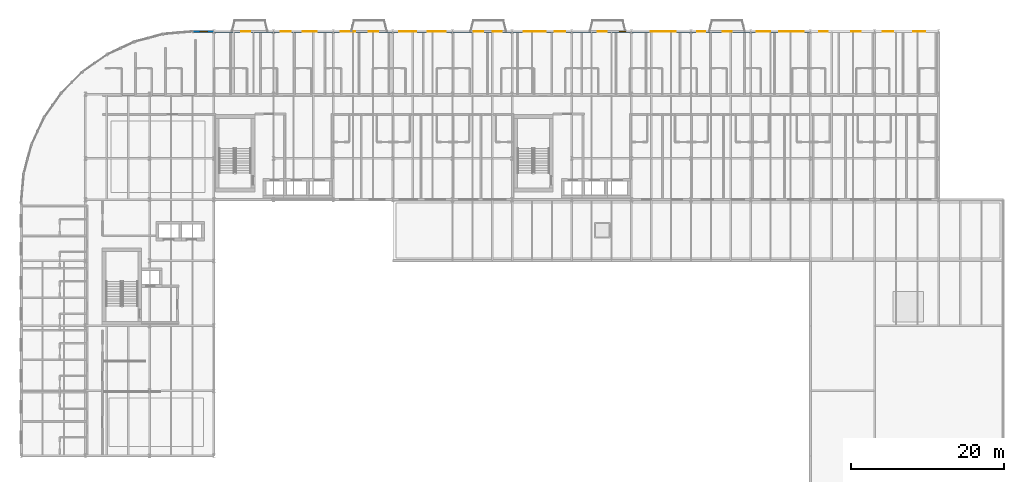
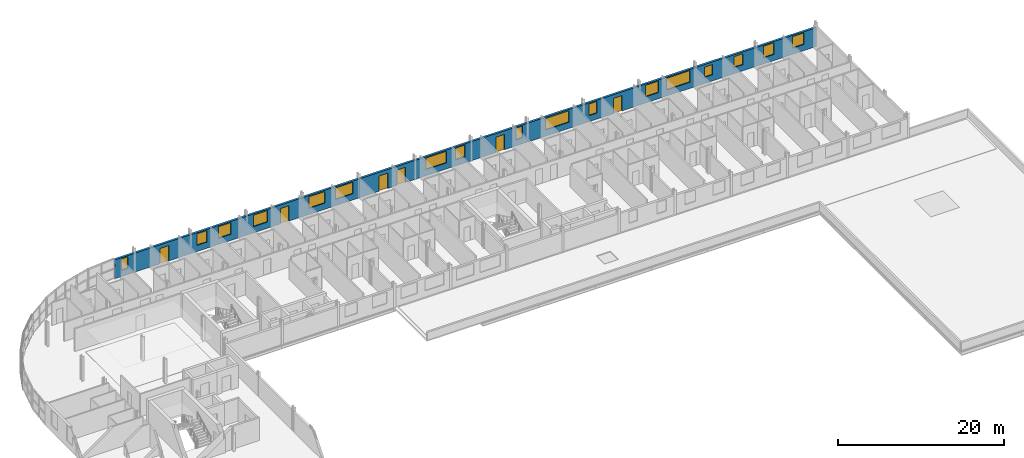
# One storey, part 29 of 36: 17 windows, 6 doors, 1 wall, 23 openings.
"""IFC4 building model written with IfcOpenShell, lengths in metres."""

from ifc_helpers import new_model, si_unit, direction, frame, frame_2d, origin, place, context, subcontext, project, spatial, rectangle, extrude, material, layer, layer_set, type_object, element, fill, save


model = new_model("IFC4")

# Units and contexts
model_context = context("Model", 3, precision=1e-05, world=origin(), true_north=direction((0.0, 1.0)))
body_context = subcontext(model_context, "Body", "Model", "MODEL_VIEW")
ifc_project = project(units=[si_unit("LENGTHUNIT", "METRE"), si_unit("AREAUNIT", "SQUARE_METRE"), si_unit("VOLUMEUNIT", "CUBIC_METRE"), si_unit("PLANEANGLEUNIT", "RADIAN"), si_unit("MASSUNIT", "GRAM", prefix="KILO")], contexts=[model_context])

# Site, building, storey
site_placement = place(None, origin())
site = spatial("IfcSite", under=ifc_project, at=site_placement, CompositionType="ELEMENT")
building_placement = place(site_placement, origin())
building = spatial("IfcBuilding", under=site, at=building_placement, Name="Sefraquen Railside Congress Hotel", CompositionType="ELEMENT")
storey_placement = place(building_placement, frame((0.0, 0.0, 24.60009765625)))
storey = spatial("IfcBuildingStorey", under=building, at=storey_placement, Name="L05", CompositionType="ELEMENT", Elevation=24.60009765625)

# Wall, openings, doors, windows
ifc_material_1 = material(Name="Ochre Rabat calcarenite limestone and Concrete C40/50 backing", Category="masonry")
ifc_layer = layer(ifc_material_1, 0.300048828125)
ifc_layer_set = layer_set([ifc_layer], Name="Ochre Rabat calcarenite limestone and Concrete C40/50 backing")
wall_type = type_object("IfcWallType", Name="TW-EW-300", PredefinedType="STANDARD", material=ifc_layer_set)
wall_placement = place(storey_placement, frame((22.5, 118.0, 0.0), z_axis=(0.0, 0.0, 1.0), x_axis=(1.0, 0.0, 0.0)))
wall = element("IfcWall", 1, at=wall_placement, inside=storey, type_object=wall_type, Name="Hotel L05 North Boulevard limestone facade wall", PredefinedType="STANDARD", context=body_context, shape_type="SweptSolid", body=[
    extrude(rectangle(XDim=97.5, YDim=0.300048828125, at=frame_2d((48.75, 0.0))), origin(), (0.0, 0.0, 1.0), 2.77978515625),
])
opening_1_placement = place(wall_placement, frame((0.909912109375, 0.0, 0.89990234375)))
opening_1 = element("IfcOpeningElement", 2, at=opening_1_placement, cuts=wall, Name="Opening WN-02", PredefinedType="OPENING", context=body_context, shape_type="SweptSolid", body=[
    extrude(rectangle(XDim=0.89990234375, YDim=1.699951171875, at=frame_2d((0.449951171875, 0.85009765625))), frame((0.0, 0.159912109375, 0.0), z_axis=(0.0, -1.0, 0.0), x_axis=(1.0, 0.0, 0.0)), (0.0, 0.0, 1.0), 0.320068359375),
])
opening_2_placement = place(wall_placement, frame((6.27490234375, 0.0, 0.0)))
opening_2 = element("IfcOpeningElement", 3, at=opening_2_placement, cuts=wall, Name="Opening BD-01", PredefinedType="OPENING", context=body_context, shape_type="SweptSolid", body=[
    extrude(rectangle(XDim=1.199951171875, YDim=2.25, at=frame_2d((0.60009765625, 1.125))), frame((0.0, 0.159912109375, 0.0), z_axis=(0.0, -1.0, 0.0), x_axis=(1.0, 0.0, 0.0)), (0.0, 0.0, 1.0), 0.320068359375),
])
opening_3_placement = place(wall_placement, frame((11.419921875, 0.0, 0.89990234375)))
opening_3 = element("IfcOpeningElement", 4, at=opening_3_placement, cuts=wall, Name="Opening WN-04", PredefinedType="OPENING", context=body_context, shape_type="SweptSolid", body=[
    extrude(rectangle(XDim=1.35009765625, YDim=1.699951171875, at=frame_2d((0.675048828125, 0.85009765625))), frame((0.0, 0.159912109375, 0.0), z_axis=(0.0, -1.0, 0.0), x_axis=(1.0, 0.0, 0.0)), (0.0, 0.0, 1.0), 0.320068359375),
])
opening_4_placement = place(wall_placement, frame((14.344970703125, 0.0, 0.89990234375)))
opening_4 = element("IfcOpeningElement", 5, at=opening_4_placement, cuts=wall, Name="Opening WN-05", PredefinedType="OPENING", context=body_context, shape_type="SweptSolid", body=[
    extrude(rectangle(XDim=1.800048828125, YDim=1.699951171875, at=frame_2d((0.89990234375, 0.85009765625))), frame((0.0, 0.159912109375, 0.0), z_axis=(0.0, -1.0, 0.0), x_axis=(1.0, 0.0, 0.0)), (0.0, 0.0, 1.0), 0.320068359375),
])
opening_5_placement = place(wall_placement, frame((19.27001953125, 0.0, 0.89990234375)))
opening_5 = element("IfcOpeningElement", 6, at=opening_5_placement, cuts=wall, Name="Opening WN-06", PredefinedType="OPENING", context=body_context, shape_type="SweptSolid", body=[
    extrude(rectangle(XDim=1.949951171875, YDim=1.699951171875, at=frame_2d((0.97509765625, 0.85009765625))), frame((0.0, 0.159912109375, 0.0), z_axis=(0.0, -1.0, 0.0), x_axis=(1.0, 0.0, 0.0)), (0.0, 0.0, 1.0), 0.320068359375),
])
opening_6_placement = place(wall_placement, frame((22.969970703125, 0.0, 0.0)))
opening_6 = element("IfcOpeningElement", 7, at=opening_6_placement, cuts=wall, Name="Opening BD-01", PredefinedType="OPENING", context=body_context, shape_type="SweptSolid", body=[
    extrude(rectangle(XDim=1.199951171875, YDim=2.25, at=frame_2d((0.60009765625, 1.125))), frame((0.0, 0.159912109375, 0.0), z_axis=(0.0, -1.0, 0.0), x_axis=(1.0, 0.0, 0.0)), (0.0, 0.0, 1.0), 0.320068359375),
])
opening_7_placement = place(wall_placement, frame((26.919921875, 0.0, 0.89990234375)))
opening_7 = element("IfcOpeningElement", 8, at=opening_7_placement, cuts=wall, Name="Opening WN-08", PredefinedType="OPENING", context=body_context, shape_type="SweptSolid", body=[
    extrude(rectangle(XDim=2.25, YDim=1.699951171875, at=frame_2d((1.125, 0.85009765625))), frame((0.0, 0.159912109375, 0.0), z_axis=(0.0, -1.0, 0.0), x_axis=(1.0, 0.0, 0.0)), (0.0, 0.0, 1.0), 0.320068359375),
])
opening_8_placement = place(wall_placement, frame((30.64501953125, 0.0, 0.89990234375)))
opening_8 = element("IfcOpeningElement", 9, at=opening_8_placement, cuts=wall, Name="Opening WN-09", PredefinedType="OPENING", context=body_context, shape_type="SweptSolid", body=[
    extrude(rectangle(XDim=2.39990234375, YDim=1.699951171875, at=frame_2d((1.199951171875, 0.85009765625))), frame((0.0, 0.159912109375, 0.0), z_axis=(0.0, -1.0, 0.0), x_axis=(1.0, 0.0, 0.0)), (0.0, 0.0, 1.0), 0.320068359375),
])
opening_9_placement = place(wall_placement, frame((36.7099609375, 0.0, 0.0)))
opening_9 = element("IfcOpeningElement", 10, at=opening_9_placement, cuts=wall, Name="Opening BD-01", PredefinedType="OPENING", context=body_context, shape_type="SweptSolid", body=[
    extrude(rectangle(XDim=1.199951171875, YDim=2.25, at=frame_2d((0.60009765625, 1.125))), frame((0.0, 0.159912109375, 0.0), z_axis=(0.0, -1.0, 0.0), x_axis=(1.0, 0.0, 0.0)), (0.0, 0.0, 1.0), 0.320068359375),
])
opening_10_placement = place(wall_placement, frame((39.169921875, 0.0, 0.0)))
opening_10 = element("IfcOpeningElement", 11, at=opening_10_placement, cuts=wall, Name="Opening BD-01", PredefinedType="OPENING", context=body_context, shape_type="SweptSolid", body=[
    extrude(rectangle(XDim=1.199951171875, YDim=2.25, at=frame_2d((0.60009765625, 1.125))), frame((0.0, 0.159912109375, 0.0), z_axis=(0.0, -1.0, 0.0), x_axis=(1.0, 0.0, 0.0)), (0.0, 0.0, 1.0), 0.320068359375),
])
opening_11_placement = place(wall_placement, frame((43.219970703125, 0.0, 0.89990234375)))
opening_11 = element("IfcOpeningElement", 12, at=opening_11_placement, cuts=wall, Name="Opening WN-12", PredefinedType="OPENING", context=body_context, shape_type="SweptSolid", body=[
    extrude(rectangle(XDim=2.85009765625, YDim=1.699951171875, at=frame_2d((1.425048828125, 0.85009765625))), frame((0.0, 0.159912109375, 0.0), z_axis=(0.0, -1.0, 0.0), x_axis=(1.0, 0.0, 0.0)), (0.0, 0.0, 1.0), 0.320068359375),
])
opening_12_placement = place(wall_placement, frame((47.2900390625, 0.0, 0.89990234375)))
opening_12 = element("IfcOpeningElement", 13, at=opening_12_placement, cuts=wall, Name="Opening WN-13", PredefinedType="OPENING", context=body_context, shape_type="SweptSolid", body=[
    extrude(rectangle(XDim=1.35009765625, YDim=1.699951171875, at=frame_2d((0.675048828125, 0.85009765625))), frame((0.0, 0.159912109375, 0.0), z_axis=(0.0, -1.0, 0.0), x_axis=(1.0, 0.0, 0.0)), (0.0, 0.0, 1.0), 0.320068359375),
])
opening_13_placement = place(wall_placement, frame((52.909912109375, 0.0, 0.0)))
opening_13 = element("IfcOpeningElement", 14, at=opening_13_placement, cuts=wall, Name="Opening BD-01", PredefinedType="OPENING", context=body_context, shape_type="SweptSolid", body=[
    extrude(rectangle(XDim=1.199951171875, YDim=2.25, at=frame_2d((0.60009765625, 1.125))), frame((0.0, 0.159912109375, 0.0), z_axis=(0.0, -1.0, 0.0), x_axis=(1.0, 0.0, 0.0)), (0.0, 0.0, 1.0), 0.320068359375),
])
opening_14_placement = place(wall_placement, frame((55.68994140625, 0.0, 0.89990234375)))
opening_14 = element("IfcOpeningElement", 15, at=opening_14_placement, cuts=wall, Name="Opening WN-15", PredefinedType="OPENING", context=body_context, shape_type="SweptSolid", body=[
    extrude(rectangle(XDim=0.89990234375, YDim=1.699951171875, at=frame_2d((0.449951171875, 0.85009765625))), frame((0.0, 0.159912109375, 0.0), z_axis=(0.0, -1.0, 0.0), x_axis=(1.0, 0.0, 0.0)), (0.0, 0.0, 1.0), 0.320068359375),
])
opening_15_placement = place(wall_placement, frame((59.820068359375, 0.0, 0.89990234375)))
opening_15 = element("IfcOpeningElement", 16, at=opening_15_placement, cuts=wall, Name="Opening WN-16", PredefinedType="OPENING", context=body_context, shape_type="SweptSolid", body=[
    extrude(rectangle(XDim=3.25, YDim=1.699951171875, at=frame_2d((1.625, 0.85009765625))), frame((0.0, 0.159912109375, 0.0), z_axis=(0.0, -1.0, 0.0), x_axis=(1.0, 0.0, 0.0)), (0.0, 0.0, 1.0), 0.320068359375),
])
opening_16_placement = place(wall_placement, frame((65.889892578125, 0.0, 0.89990234375)))
opening_16 = element("IfcOpeningElement", 17, at=opening_16_placement, cuts=wall, Name="Opening WN-17", PredefinedType="OPENING", context=body_context, shape_type="SweptSolid", body=[
    extrude(rectangle(XDim=1.10009765625, YDim=1.699951171875, at=frame_2d((0.550048828125, 0.85009765625))), frame((0.0, 0.159912109375, 0.0), z_axis=(0.0, -1.0, 0.0), x_axis=(1.0, 0.0, 0.0)), (0.0, 0.0, 1.0), 0.320068359375),
])
opening_17_placement = place(wall_placement, frame((69.2451171875, 0.0, 0.0)))
opening_17 = element("IfcOpeningElement", 18, at=opening_17_placement, cuts=wall, Name="Opening BD-01", PredefinedType="OPENING", context=body_context, shape_type="SweptSolid", body=[
    extrude(rectangle(XDim=1.199951171875, YDim=2.25, at=frame_2d((0.60009765625, 1.125))), frame((0.0, 0.159912109375, 0.0), z_axis=(0.0, -1.0, 0.0), x_axis=(1.0, 0.0, 0.0)), (0.0, 0.0, 1.0), 0.320068359375),
])
opening_18_placement = place(wall_placement, frame((73.68994140625, 0.0, 0.89990234375)))
opening_18 = element("IfcOpeningElement", 19, at=opening_18_placement, cuts=wall, Name="Opening WN-19", PredefinedType="OPENING", context=body_context, shape_type="SweptSolid", body=[
    extrude(rectangle(XDim=1.800048828125, YDim=1.699951171875, at=frame_2d((0.89990234375, 0.85009765625))), frame((0.0, 0.159912109375, 0.0), z_axis=(0.0, -1.0, 0.0), x_axis=(1.0, 0.0, 0.0)), (0.0, 0.0, 1.0), 0.320068359375),
])
opening_19_placement = place(wall_placement, frame((76.6201171875, 0.0, 0.89990234375)))
opening_19 = element("IfcOpeningElement", 20, at=opening_19_placement, cuts=wall, Name="Opening WN-20", PredefinedType="OPENING", context=body_context, shape_type="SweptSolid", body=[
    extrude(rectangle(XDim=3.25, YDim=1.699951171875, at=frame_2d((1.625, 0.85009765625))), frame((0.0, 0.159912109375, 0.0), z_axis=(0.0, -1.0, 0.0), x_axis=(1.0, 0.0, 0.0)), (0.0, 0.0, 1.0), 0.320068359375),
])
opening_20_placement = place(wall_placement, frame((81.89501953125, 0.0, 0.89990234375)))
opening_20 = element("IfcOpeningElement", 21, at=opening_20_placement, cuts=wall, Name="Opening WN-21", PredefinedType="OPENING", context=body_context, shape_type="SweptSolid", body=[
    extrude(rectangle(XDim=1.10009765625, YDim=1.5, at=frame_2d((0.550048828125, 0.75))), frame((0.0, 0.159912109375, 0.0), z_axis=(0.0, -1.0, 0.0), x_axis=(1.0, 0.0, 0.0)), (0.0, 0.0, 1.0), 0.320068359375),
])
opening_21_placement = place(wall_placement, frame((86.02001953125, 0.0, 0.89990234375)))
opening_21 = element("IfcOpeningElement", 22, at=opening_21_placement, cuts=wall, Name="Opening WN-22", PredefinedType="OPENING", context=body_context, shape_type="SweptSolid", body=[
    extrude(rectangle(XDim=1.25, YDim=1.60009765625, at=frame_2d((0.625, 0.800048828125))), frame((0.0, 0.159912109375, 0.0), z_axis=(0.0, -1.0, 0.0), x_axis=(1.0, 0.0, 0.0)), (0.0, 0.0, 1.0), 0.320068359375),
])
opening_22_placement = place(wall_placement, frame((90.14501953125, 0.0, 0.89990234375)))
opening_22 = element("IfcOpeningElement", 23, at=opening_22_placement, cuts=wall, Name="Opening WN-23", PredefinedType="OPENING", context=body_context, shape_type="SweptSolid", body=[
    extrude(rectangle(XDim=1.39990234375, YDim=1.699951171875, at=frame_2d((0.699951171875, 0.85009765625))), frame((0.0, 0.159912109375, 0.0), z_axis=(0.0, -1.0, 0.0), x_axis=(1.0, 0.0, 0.0)), (0.0, 0.0, 1.0), 0.320068359375),
])
opening_23_placement = place(wall_placement, frame((94.155029296875, 0.0, 0.89990234375)))
opening_23 = element("IfcOpeningElement", 24, at=opening_23_placement, cuts=wall, Name="Opening WN-24", PredefinedType="OPENING", context=body_context, shape_type="SweptSolid", body=[
    extrude(rectangle(XDim=1.60009765625, YDim=1.699951171875, at=frame_2d((0.800048828125, 0.85009765625))), frame((0.0, 0.159912109375, 0.0), z_axis=(0.0, -1.0, 0.0), x_axis=(1.0, 0.0, 0.0)), (0.0, 0.0, 1.0), 0.320068359375),
])
ifc_material_2 = material(Name="Bronze and low-E fire-rated glass", Category="glass")
door_type = type_object("IfcDoorType", Name="TD-BD-01", OperationType="NOTDEFINED", PredefinedType="DOOR", material=ifc_material_2)
door_1_placement = place(opening_2_placement, origin())
door_1 = element("IfcDoor", 25, at=door_1_placement, inside=storey, type_object=door_type, Name="Guest balcony glazed door SP-L05-RM-002", OperationType="SINGLE_SWING_RIGHT", OverallHeight=2.25, OverallWidth=1.199951171875, PredefinedType="DOOR", context=body_context, shape_type="SweptSolid", body=[
    extrude(rectangle(XDim=1.199951171875, YDim=2.25, at=frame_2d((0.60009765625, 1.125))), frame((0.0, 0.02490234375, 0.0), z_axis=(0.0, -1.0, 0.0), x_axis=(1.0, 0.0, 0.0)), (0.0, 0.0, 1.0), 0.050048828125),
])
fill(opening_2, door_1)
door_2_placement = place(opening_6_placement, origin())
door_2 = element("IfcDoor", 26, at=door_2_placement, inside=storey, type_object=door_type, Name="Guest balcony glazed door SP-L05-RM-006", OperationType="SINGLE_SWING_RIGHT", OverallHeight=2.25, OverallWidth=1.199951171875, PredefinedType="DOOR", context=body_context, shape_type="SweptSolid", body=[
    extrude(rectangle(XDim=1.199951171875, YDim=2.25, at=frame_2d((0.60009765625, 1.125))), frame((0.0, 0.02490234375, 0.0), z_axis=(0.0, -1.0, 0.0), x_axis=(1.0, 0.0, 0.0)), (0.0, 0.0, 1.0), 0.050048828125),
])
fill(opening_6, door_2)
door_3_placement = place(opening_9_placement, origin())
door_3 = element("IfcDoor", 27, at=door_3_placement, inside=storey, type_object=door_type, Name="Guest balcony glazed door SP-L05-RM-009", OperationType="SINGLE_SWING_LEFT", OverallHeight=2.25, OverallWidth=1.199951171875, PredefinedType="DOOR", context=body_context, shape_type="SweptSolid", body=[
    extrude(rectangle(XDim=1.199951171875, YDim=2.25, at=frame_2d((0.60009765625, 1.125))), frame((0.0, 0.02490234375, 0.0), z_axis=(0.0, -1.0, 0.0), x_axis=(1.0, 0.0, 0.0)), (0.0, 0.0, 1.0), 0.050048828125),
])
fill(opening_9, door_3)
door_4_placement = place(opening_10_placement, origin())
door_4 = element("IfcDoor", 28, at=door_4_placement, inside=storey, type_object=door_type, Name="Guest balcony glazed door SP-L05-RM-010", OperationType="SINGLE_SWING_RIGHT", OverallHeight=2.25, OverallWidth=1.199951171875, PredefinedType="DOOR", context=body_context, shape_type="SweptSolid", body=[
    extrude(rectangle(XDim=1.199951171875, YDim=2.25, at=frame_2d((0.60009765625, 1.125))), frame((0.0, 0.02490234375, 0.0), z_axis=(0.0, -1.0, 0.0), x_axis=(1.0, 0.0, 0.0)), (0.0, 0.0, 1.0), 0.050048828125),
])
fill(opening_10, door_4)
door_5_placement = place(opening_13_placement, origin())
door_5 = element("IfcDoor", 29, at=door_5_placement, inside=storey, type_object=door_type, Name="Guest balcony glazed door SP-L05-RM-013", OperationType="SINGLE_SWING_LEFT", OverallHeight=2.25, OverallWidth=1.199951171875, PredefinedType="DOOR", context=body_context, shape_type="SweptSolid", body=[
    extrude(rectangle(XDim=1.199951171875, YDim=2.25, at=frame_2d((0.60009765625, 1.125))), frame((0.0, 0.02490234375, 0.0), z_axis=(0.0, -1.0, 0.0), x_axis=(1.0, 0.0, 0.0)), (0.0, 0.0, 1.0), 0.050048828125),
])
fill(opening_13, door_5)
door_6_placement = place(opening_17_placement, origin())
door_6 = element("IfcDoor", 30, at=door_6_placement, inside=storey, type_object=door_type, Name="Guest balcony glazed door SP-L05-RM-017", OperationType="SINGLE_SWING_LEFT", OverallHeight=2.25, OverallWidth=1.199951171875, PredefinedType="DOOR", context=body_context, shape_type="SweptSolid", body=[
    extrude(rectangle(XDim=1.199951171875, YDim=2.25, at=frame_2d((0.60009765625, 1.125))), frame((0.0, 0.02490234375, 0.0), z_axis=(0.0, -1.0, 0.0), x_axis=(1.0, 0.0, 0.0)), (0.0, 0.0, 1.0), 0.050048828125),
])
fill(opening_17, door_6)
ifc_material_3 = material(Name="Solar-control low-E double glazing in bronze-anodised frame", Category="glass")
window_type_1 = type_object("IfcWindowType", Name="TWN-W-02", PartitioningType="DOUBLE_PANEL_VERTICAL", PredefinedType="WINDOW", material=ifc_material_3)
window_1_placement = place(opening_1_placement, origin())
window_1 = element("IfcWindow", 31, at=window_1_placement, inside=storey, type_object=window_type_1, Name="Guest room north window SP-L05-RM-001", OverallHeight=1.699951171875, OverallWidth=0.89990234375, PartitioningType="DOUBLE_PANEL_VERTICAL", PredefinedType="WINDOW", context=body_context, shape_type="SweptSolid", body=[
    extrude(rectangle(XDim=0.89990234375, YDim=1.699951171875, at=frame_2d((0.449951171875, 0.85009765625))), frame((0.0, 0.030029296875, 0.0), z_axis=(0.0, -1.0, 0.0), x_axis=(1.0, 0.0, 0.0)), (0.0, 0.0, 1.0), 0.06005859375),
])
fill(opening_1, window_1)
window_type_2 = type_object("IfcWindowType", Name="TWN-W-04", PartitioningType="DOUBLE_PANEL_VERTICAL", PredefinedType="WINDOW", material=ifc_material_3)
window_2_placement = place(opening_3_placement, origin())
window_2 = element("IfcWindow", 32, at=window_2_placement, inside=storey, type_object=window_type_2, Name="Guest room north window SP-L05-RM-003", OverallHeight=1.699951171875, OverallWidth=1.35009765625, PartitioningType="DOUBLE_PANEL_VERTICAL", PredefinedType="WINDOW", context=body_context, shape_type="SweptSolid", body=[
    extrude(rectangle(XDim=1.35009765625, YDim=1.699951171875, at=frame_2d((0.675048828125, 0.85009765625))), frame((0.0, 0.030029296875, 0.0), z_axis=(0.0, -1.0, 0.0), x_axis=(1.0, 0.0, 0.0)), (0.0, 0.0, 1.0), 0.06005859375),
])
fill(opening_3, window_2)
window_type_3 = type_object("IfcWindowType", Name="TWN-W-05", PartitioningType="DOUBLE_PANEL_VERTICAL", PredefinedType="WINDOW", material=ifc_material_3)
window_3_placement = place(opening_4_placement, origin())
window_3 = element("IfcWindow", 33, at=window_3_placement, inside=storey, type_object=window_type_3, Name="Guest room north window SP-L05-RM-004", OverallHeight=1.699951171875, OverallWidth=1.800048828125, PartitioningType="DOUBLE_PANEL_VERTICAL", PredefinedType="WINDOW", context=body_context, shape_type="SweptSolid", body=[
    extrude(rectangle(XDim=1.800048828125, YDim=1.699951171875, at=frame_2d((0.89990234375, 0.85009765625))), frame((0.0, 0.030029296875, 0.0), z_axis=(0.0, -1.0, 0.0), x_axis=(1.0, 0.0, 0.0)), (0.0, 0.0, 1.0), 0.06005859375),
])
fill(opening_4, window_3)
window_type_4 = type_object("IfcWindowType", Name="TWN-W-06", PartitioningType="DOUBLE_PANEL_VERTICAL", PredefinedType="WINDOW", material=ifc_material_3)
window_4_placement = place(opening_5_placement, origin())
window_4 = element("IfcWindow", 34, at=window_4_placement, inside=storey, type_object=window_type_4, Name="Guest room north window SP-L05-RM-005", OverallHeight=1.699951171875, OverallWidth=1.949951171875, PartitioningType="DOUBLE_PANEL_VERTICAL", PredefinedType="WINDOW", context=body_context, shape_type="SweptSolid", body=[
    extrude(rectangle(XDim=1.949951171875, YDim=1.699951171875, at=frame_2d((0.97509765625, 0.85009765625))), frame((0.0, 0.030029296875, 0.0), z_axis=(0.0, -1.0, 0.0), x_axis=(1.0, 0.0, 0.0)), (0.0, 0.0, 1.0), 0.06005859375),
])
fill(opening_5, window_4)
window_type_5 = type_object("IfcWindowType", Name="TWN-W-08", PartitioningType="DOUBLE_PANEL_VERTICAL", PredefinedType="WINDOW", material=ifc_material_3)
window_5_placement = place(opening_7_placement, origin())
window_5 = element("IfcWindow", 35, at=window_5_placement, inside=storey, type_object=window_type_5, Name="Guest room north window SP-L05-RM-007", OverallHeight=1.699951171875, OverallWidth=2.25, PartitioningType="DOUBLE_PANEL_VERTICAL", PredefinedType="WINDOW", context=body_context, shape_type="SweptSolid", body=[
    extrude(rectangle(XDim=2.25, YDim=1.699951171875, at=frame_2d((1.125, 0.85009765625))), frame((0.0, 0.030029296875, 0.0), z_axis=(0.0, -1.0, 0.0), x_axis=(1.0, 0.0, 0.0)), (0.0, 0.0, 1.0), 0.06005859375),
])
fill(opening_7, window_5)
window_type_6 = type_object("IfcWindowType", Name="TWN-W-09", PartitioningType="DOUBLE_PANEL_VERTICAL", PredefinedType="WINDOW", material=ifc_material_3)
window_6_placement = place(opening_8_placement, origin())
window_6 = element("IfcWindow", 36, at=window_6_placement, inside=storey, type_object=window_type_6, Name="Guest room north window SP-L05-RM-008", OverallHeight=1.699951171875, OverallWidth=2.39990234375, PartitioningType="DOUBLE_PANEL_VERTICAL", PredefinedType="WINDOW", context=body_context, shape_type="SweptSolid", body=[
    extrude(rectangle(XDim=2.39990234375, YDim=1.699951171875, at=frame_2d((1.199951171875, 0.85009765625))), frame((0.0, 0.030029296875, 0.0), z_axis=(0.0, -1.0, 0.0), x_axis=(1.0, 0.0, 0.0)), (0.0, 0.0, 1.0), 0.06005859375),
])
fill(opening_8, window_6)
window_type_7 = type_object("IfcWindowType", Name="TWN-W-12", PartitioningType="DOUBLE_PANEL_VERTICAL", PredefinedType="WINDOW", material=ifc_material_3)
window_7_placement = place(opening_11_placement, origin())
window_7 = element("IfcWindow", 37, at=window_7_placement, inside=storey, type_object=window_type_7, Name="Guest room north window SP-L05-RM-011", OverallHeight=1.699951171875, OverallWidth=2.85009765625, PartitioningType="DOUBLE_PANEL_VERTICAL", PredefinedType="WINDOW", context=body_context, shape_type="SweptSolid", body=[
    extrude(rectangle(XDim=2.85009765625, YDim=1.699951171875, at=frame_2d((1.425048828125, 0.85009765625))), frame((0.0, 0.030029296875, 0.0), z_axis=(0.0, -1.0, 0.0), x_axis=(1.0, 0.0, 0.0)), (0.0, 0.0, 1.0), 0.06005859375),
])
fill(opening_11, window_7)
window_type_8 = type_object("IfcWindowType", Name="TWN-W-13", PartitioningType="DOUBLE_PANEL_VERTICAL", PredefinedType="WINDOW", material=ifc_material_3)
window_8_placement = place(opening_12_placement, origin())
window_8 = element("IfcWindow", 38, at=window_8_placement, inside=storey, type_object=window_type_8, Name="Guest room north window SP-L05-RM-012", OverallHeight=1.699951171875, OverallWidth=1.35009765625, PartitioningType="DOUBLE_PANEL_VERTICAL", PredefinedType="WINDOW", context=body_context, shape_type="SweptSolid", body=[
    extrude(rectangle(XDim=1.35009765625, YDim=1.699951171875, at=frame_2d((0.675048828125, 0.85009765625))), frame((0.0, 0.030029296875, 0.0), z_axis=(0.0, -1.0, 0.0), x_axis=(1.0, 0.0, 0.0)), (0.0, 0.0, 1.0), 0.06005859375),
])
fill(opening_12, window_8)
window_type_9 = type_object("IfcWindowType", Name="TWN-W-15", PartitioningType="DOUBLE_PANEL_VERTICAL", PredefinedType="WINDOW", material=ifc_material_3)
window_9_placement = place(opening_14_placement, origin())
window_9 = element("IfcWindow", 39, at=window_9_placement, inside=storey, type_object=window_type_9, Name="Guest room north window SP-L05-RM-014", OverallHeight=1.699951171875, OverallWidth=0.89990234375, PartitioningType="DOUBLE_PANEL_VERTICAL", PredefinedType="WINDOW", context=body_context, shape_type="SweptSolid", body=[
    extrude(rectangle(XDim=0.89990234375, YDim=1.699951171875, at=frame_2d((0.449951171875, 0.85009765625))), frame((0.0, 0.030029296875, 0.0), z_axis=(0.0, -1.0, 0.0), x_axis=(1.0, 0.0, 0.0)), (0.0, 0.0, 1.0), 0.06005859375),
])
fill(opening_14, window_9)
window_type_10 = type_object("IfcWindowType", Name="TWN-W-16", PartitioningType="DOUBLE_PANEL_VERTICAL", PredefinedType="WINDOW", material=ifc_material_3)
window_10_placement = place(opening_15_placement, origin())
window_10 = element("IfcWindow", 40, at=window_10_placement, inside=storey, type_object=window_type_10, Name="Guest room north window SP-L05-RM-015", OverallHeight=1.699951171875, OverallWidth=3.25, PartitioningType="DOUBLE_PANEL_VERTICAL", PredefinedType="WINDOW", context=body_context, shape_type="SweptSolid", body=[
    extrude(rectangle(XDim=3.25, YDim=1.699951171875, at=frame_2d((1.625, 0.85009765625))), frame((0.0, 0.030029296875, 0.0), z_axis=(0.0, -1.0, 0.0), x_axis=(1.0, 0.0, 0.0)), (0.0, 0.0, 1.0), 0.06005859375),
])
fill(opening_15, window_10)
window_type_11 = type_object("IfcWindowType", Name="TWN-W-17", PartitioningType="DOUBLE_PANEL_VERTICAL", PredefinedType="WINDOW", material=ifc_material_3)
window_11_placement = place(opening_16_placement, origin())
window_11 = element("IfcWindow", 41, at=window_11_placement, inside=storey, type_object=window_type_11, Name="Guest room north window SP-L05-RM-016", OverallHeight=1.699951171875, OverallWidth=1.10009765625, PartitioningType="DOUBLE_PANEL_VERTICAL", PredefinedType="WINDOW", context=body_context, shape_type="SweptSolid", body=[
    extrude(rectangle(XDim=1.10009765625, YDim=1.699951171875, at=frame_2d((0.550048828125, 0.85009765625))), frame((0.0, 0.030029296875, 0.0), z_axis=(0.0, -1.0, 0.0), x_axis=(1.0, 0.0, 0.0)), (0.0, 0.0, 1.0), 0.06005859375),
])
fill(opening_16, window_11)
window_type_12 = type_object("IfcWindowType", Name="TWN-W-19", PartitioningType="DOUBLE_PANEL_VERTICAL", PredefinedType="WINDOW", material=ifc_material_3)
window_12_placement = place(opening_18_placement, origin())
window_12 = element("IfcWindow", 42, at=window_12_placement, inside=storey, type_object=window_type_12, Name="Guest room north window SP-L05-RM-018", OverallHeight=1.699951171875, OverallWidth=1.800048828125, PartitioningType="DOUBLE_PANEL_VERTICAL", PredefinedType="WINDOW", context=body_context, shape_type="SweptSolid", body=[
    extrude(rectangle(XDim=1.800048828125, YDim=1.699951171875, at=frame_2d((0.89990234375, 0.85009765625))), frame((0.0, 0.030029296875, 0.0), z_axis=(0.0, -1.0, 0.0), x_axis=(1.0, 0.0, 0.0)), (0.0, 0.0, 1.0), 0.06005859375),
])
fill(opening_18, window_12)
window_type_13 = type_object("IfcWindowType", Name="TWN-W-20", PartitioningType="DOUBLE_PANEL_VERTICAL", PredefinedType="WINDOW", material=ifc_material_3)
window_13_placement = place(opening_19_placement, origin())
window_13 = element("IfcWindow", 43, at=window_13_placement, inside=storey, type_object=window_type_13, Name="Guest room north window SP-L05-RM-019", OverallHeight=1.699951171875, OverallWidth=3.25, PartitioningType="DOUBLE_PANEL_VERTICAL", PredefinedType="WINDOW", context=body_context, shape_type="SweptSolid", body=[
    extrude(rectangle(XDim=3.25, YDim=1.699951171875, at=frame_2d((1.625, 0.85009765625))), frame((0.0, 0.030029296875, 0.0), z_axis=(0.0, -1.0, 0.0), x_axis=(1.0, 0.0, 0.0)), (0.0, 0.0, 1.0), 0.06005859375),
])
fill(opening_19, window_13)
window_type_14 = type_object("IfcWindowType", Name="TWN-W-21", PartitioningType="DOUBLE_PANEL_VERTICAL", PredefinedType="WINDOW", material=ifc_material_3)
window_14_placement = place(opening_20_placement, origin())
window_14 = element("IfcWindow", 44, at=window_14_placement, inside=storey, type_object=window_type_14, Name="Guest room north window SP-L05-RM-020", OverallHeight=1.5, OverallWidth=1.10009765625, PartitioningType="DOUBLE_PANEL_VERTICAL", PredefinedType="WINDOW", context=body_context, shape_type="SweptSolid", body=[
    extrude(rectangle(XDim=1.10009765625, YDim=1.5, at=frame_2d((0.550048828125, 0.75))), frame((0.0, 0.030029296875, 0.0), z_axis=(0.0, -1.0, 0.0), x_axis=(1.0, 0.0, 0.0)), (0.0, 0.0, 1.0), 0.06005859375),
])
fill(opening_20, window_14)
window_type_15 = type_object("IfcWindowType", Name="TWN-W-22", PartitioningType="DOUBLE_PANEL_VERTICAL", PredefinedType="WINDOW", material=ifc_material_3)
window_15_placement = place(opening_21_placement, origin())
window_15 = element("IfcWindow", 45, at=window_15_placement, inside=storey, type_object=window_type_15, Name="Guest room north window SP-L05-RM-021", OverallHeight=1.60009765625, OverallWidth=1.25, PartitioningType="DOUBLE_PANEL_VERTICAL", PredefinedType="WINDOW", context=body_context, shape_type="SweptSolid", body=[
    extrude(rectangle(XDim=1.25, YDim=1.60009765625, at=frame_2d((0.625, 0.800048828125))), frame((0.0, 0.030029296875, 0.0), z_axis=(0.0, -1.0, 0.0), x_axis=(1.0, 0.0, 0.0)), (0.0, 0.0, 1.0), 0.06005859375),
])
fill(opening_21, window_15)
window_type_16 = type_object("IfcWindowType", Name="TWN-W-23", PartitioningType="DOUBLE_PANEL_VERTICAL", PredefinedType="WINDOW", material=ifc_material_3)
window_16_placement = place(opening_22_placement, origin())
window_16 = element("IfcWindow", 46, at=window_16_placement, inside=storey, type_object=window_type_16, Name="Guest room north window SP-L05-RM-022", OverallHeight=1.699951171875, OverallWidth=1.39990234375, PartitioningType="DOUBLE_PANEL_VERTICAL", PredefinedType="WINDOW", context=body_context, shape_type="SweptSolid", body=[
    extrude(rectangle(XDim=1.39990234375, YDim=1.699951171875, at=frame_2d((0.699951171875, 0.85009765625))), frame((0.0, 0.030029296875, 0.0), z_axis=(0.0, -1.0, 0.0), x_axis=(1.0, 0.0, 0.0)), (0.0, 0.0, 1.0), 0.06005859375),
])
fill(opening_22, window_16)
window_type_17 = type_object("IfcWindowType", Name="TWN-W-24", PartitioningType="DOUBLE_PANEL_VERTICAL", PredefinedType="WINDOW", material=ifc_material_3)
window_17_placement = place(opening_23_placement, origin())
window_17 = element("IfcWindow", 47, at=window_17_placement, inside=storey, type_object=window_type_17, Name="Guest room north window SP-L05-RM-023", OverallHeight=1.699951171875, OverallWidth=1.60009765625, PartitioningType="DOUBLE_PANEL_VERTICAL", PredefinedType="WINDOW", context=body_context, shape_type="SweptSolid", body=[
    extrude(rectangle(XDim=1.60009765625, YDim=1.699951171875, at=frame_2d((0.800048828125, 0.85009765625))), frame((0.0, 0.030029296875, 0.0), z_axis=(0.0, -1.0, 0.0), x_axis=(1.0, 0.0, 0.0)), (0.0, 0.0, 1.0), 0.06005859375),
])
fill(opening_23, window_17)

save(model, "model.ifc")
